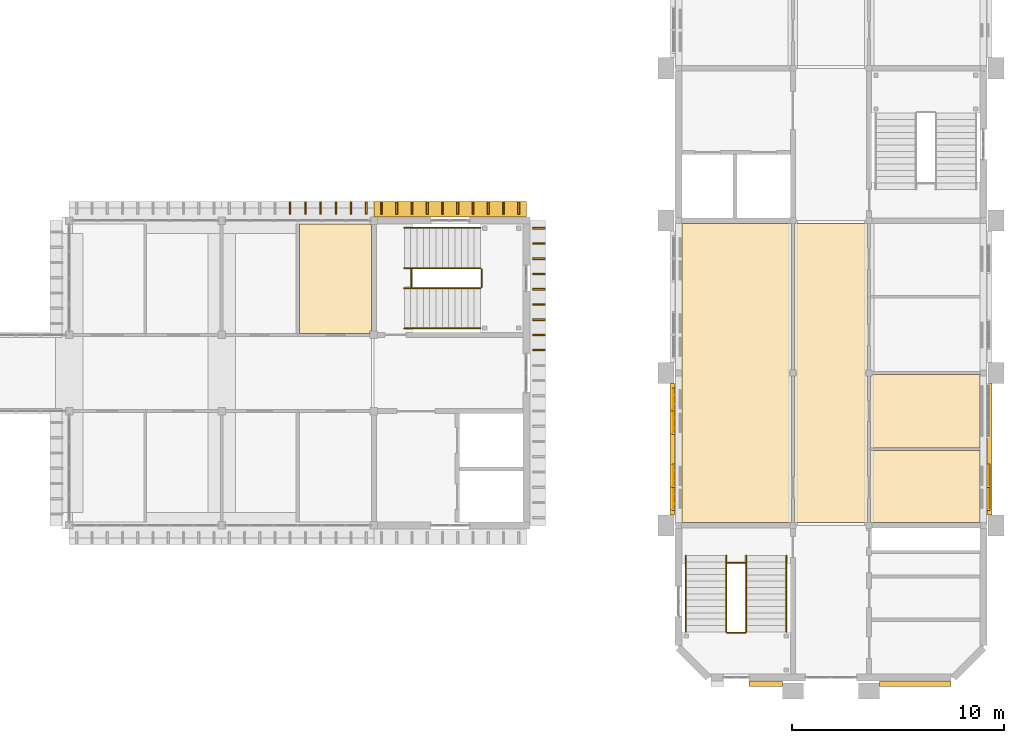
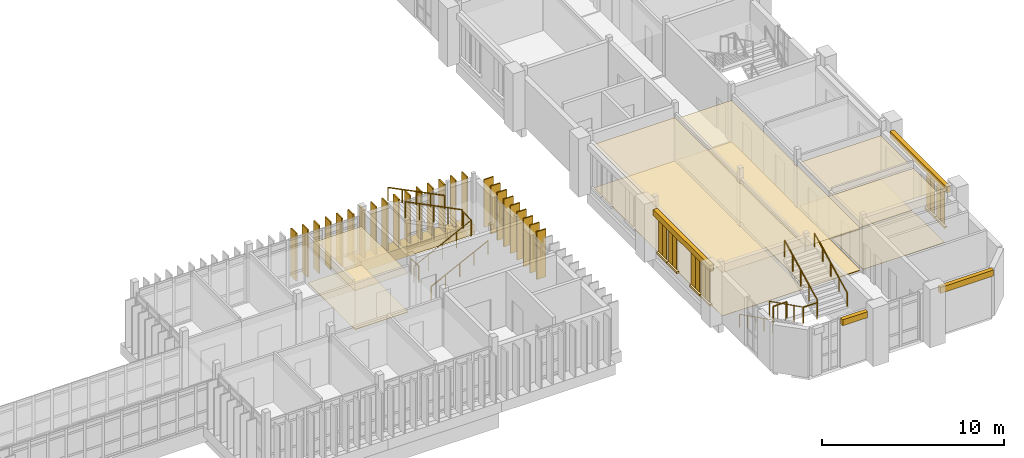
# One storey, part 64 of 69: 58 coverings, 12 railings.
"""IFC4 building model written with IfcOpenShell, lengths in metres."""

from ifc_helpers import new_model, si_unit, direction, frame, origin, origin_2d, place, context, subcontext, project, spatial, polyline, rectangle, circle, outline, extrude, material, layer, layer_set, type_object, element, save


model = new_model("IFC4")

# Units and contexts
model_context = context("Model", 3, precision=1e-05, world=origin(), true_north=direction((0.0, 1.0)))
body_context = subcontext(model_context, "Body", "Model", "MODEL_VIEW")
ifc_project = project(units=[si_unit("LENGTHUNIT", "METRE"), si_unit("AREAUNIT", "SQUARE_METRE"), si_unit("VOLUMEUNIT", "CUBIC_METRE"), si_unit("PLANEANGLEUNIT", "RADIAN"), si_unit("MASSUNIT", "GRAM", prefix="KILO")], contexts=[model_context])

# Site, building, storey
site_placement = place(None, origin())
site = spatial("IfcSite", under=ifc_project, at=site_placement, CompositionType="ELEMENT")
building_placement = place(site_placement, origin())
building = spatial("IfcBuilding", under=site, at=building_placement, Name="Mazhai Court Health Centre", CompositionType="ELEMENT")
storey_placement = place(building_placement, frame((0.0, 0.0, 6.300048828125)))
storey = spatial("IfcBuildingStorey", under=building, at=storey_placement, Name="L01", CompositionType="ELEMENT", Elevation=6.300048828125)

# Coverings
ifc_material_1 = material(Name="Clay brick masonry", Category="masonry")
ifc_layer_1 = layer(ifc_material_1, 0.25)
ifc_layer_set_1 = layer_set([ifc_layer_1], Name="BRICK BAND 250")
covering_type_1 = type_object("IfcCoveringType", Name="BRICK BAND 250", PredefinedType="MOLDING", material=ifc_layer_set_1)
covering_1_placement = place(storey_placement, frame((0.0, 0.0, 2.969970703125)))
element("IfcCovering", 1, at=covering_1_placement, inside=storey, type_object=covering_type_1, Name="EB-V6-L01-A1p0-0", PredefinedType="MOLDING", context=body_context, shape_type="SweptSolid", body=[
    extrude(outline(polyline([(135.635009765625, 13.89990234375), (135.635009765625, 20.10009765625), (135.385009765625, 20.10009765625), (135.385009765625, 13.89990234375), (135.635009765625, 13.89990234375)])), origin(), (0.0, 0.0, 1.0), 0.39990234375),
])
covering_2_placement = place(storey_placement, frame((0.0, 0.0, 2.969970703125)))
element("IfcCovering", 2, at=covering_2_placement, inside=storey, type_object=covering_type_1, Name="EB-V6-L01-B1p0-0", PredefinedType="MOLDING", context=body_context, shape_type="SweptSolid", body=[
    extrude(outline(polyline([(150.364990234375, 20.10009765625), (150.364990234375, 13.89990234375), (150.614990234375, 13.89990234375), (150.614990234375, 20.10009765625), (150.364990234375, 20.10009765625)])), origin(), (0.0, 0.0, 1.0), 0.39990234375),
])
covering_3_placement = place(storey_placement, frame((0.0, 0.0, 2.949951171875)))
element("IfcCovering", 3, at=covering_3_placement, inside=storey, type_object=covering_type_1, Name="EB-V6-L01-Sp1-1", PredefinedType="MOLDING", context=body_context, shape_type="SweptSolid", body=[
    extrude(outline(polyline([(140.699951171875, 6.034912109375), (139.1201171875, 6.034912109375), (139.1201171875, 5.784912109375), (140.699951171875, 5.784912109375), (140.699951171875, 6.034912109375)])), origin(), (0.0, 0.0, 1.0), 0.39990234375),
])
covering_4_placement = place(storey_placement, frame((0.0, 0.0, 2.949951171875)))
element("IfcCovering", 4, at=covering_4_placement, inside=storey, type_object=covering_type_1, Name="EB-V6-L01-Sp2-0", PredefinedType="MOLDING", context=body_context, shape_type="SweptSolid", body=[
    extrude(outline(polyline([(148.6689453125, 6.034912109375), (145.300048828125, 6.034912109375), (145.300048828125, 5.784912109375), (148.6689453125, 5.784912109375), (148.6689453125, 6.034912109375)])), origin(), (0.0, 0.0, 1.0), 0.39990234375),
])
ifc_material_2 = material(Name="Clay brick masonry", Category="masonry")
ifc_layer_2 = layer(ifc_material_2, 0.14990234375)
ifc_layer_set_2 = layer_set([ifc_layer_2], Name="BRICK SILL COURSE 150")
covering_type_2 = type_object("IfcCoveringType", Name="BRICK SILL COURSE 150", PredefinedType="MOLDING", material=ifc_layer_set_2)
covering_5_placement = place(storey_placement, frame((0.0, 0.0, 0.47998046875)))
element("IfcCovering", 5, at=covering_5_placement, inside=storey, type_object=covering_type_2, Name="ES-WN-V6-L01-A10a", PredefinedType="MOLDING", context=body_context, shape_type="SweptSolid", body=[
    extrude(outline(polyline([(135.635009765625, 14.10009765625), (135.635009765625, 15.199951171875), (135.485107421875, 15.199951171875), (135.485107421875, 14.10009765625), (135.635009765625, 14.10009765625)])), origin(), (0.0, 0.0, 1.0), 0.119873046875),
])
covering_6_placement = place(storey_placement, frame((0.0, 0.0, 0.47998046875)))
element("IfcCovering", 6, at=covering_6_placement, inside=storey, type_object=covering_type_2, Name="ES-WN-V6-L01-A10b", PredefinedType="MOLDING", context=body_context, shape_type="SweptSolid", body=[
    extrude(outline(polyline([(135.635009765625, 15.199951171875), (135.635009765625, 16.300048828125), (135.485107421875, 16.300048828125), (135.485107421875, 15.199951171875), (135.635009765625, 15.199951171875)])), origin(), (0.0, 0.0, 1.0), 0.119873046875),
])
covering_7_placement = place(storey_placement, frame((0.0, 0.0, 0.47998046875)))
element("IfcCovering", 7, at=covering_7_placement, inside=storey, type_object=covering_type_2, Name="ES-WN-V6-L01-A11a", PredefinedType="MOLDING", context=body_context, shape_type="SweptSolid", body=[
    extrude(outline(polyline([(135.635009765625, 17.699951171875), (135.635009765625, 18.800048828125), (135.485107421875, 18.800048828125), (135.485107421875, 17.699951171875), (135.635009765625, 17.699951171875)])), origin(), (0.0, 0.0, 1.0), 0.119873046875),
])
covering_8_placement = place(storey_placement, frame((0.0, 0.0, 0.47998046875)))
element("IfcCovering", 8, at=covering_8_placement, inside=storey, type_object=covering_type_2, Name="ES-WN-V6-L01-A11b", PredefinedType="MOLDING", context=body_context, shape_type="SweptSolid", body=[
    extrude(outline(polyline([(135.635009765625, 18.800048828125), (135.635009765625, 19.89990234375), (135.485107421875, 19.89990234375), (135.485107421875, 18.800048828125), (135.635009765625, 18.800048828125)])), origin(), (0.0, 0.0, 1.0), 0.119873046875),
])
covering_9_placement = place(storey_placement, frame((0.0, 0.0, 0.47998046875)))
element("IfcCovering", 9, at=covering_9_placement, inside=storey, type_object=covering_type_2, Name="ES-WN-V6-L01-B10a", PredefinedType="MOLDING", context=body_context, shape_type="SweptSolid", body=[
    extrude(outline(polyline([(150.364990234375, 15.199951171875), (150.364990234375, 14.10009765625), (150.514892578125, 14.10009765625), (150.514892578125, 15.199951171875), (150.364990234375, 15.199951171875)])), origin(), (0.0, 0.0, 1.0), 0.119873046875),
])
covering_10_placement = place(storey_placement, frame((0.0, 0.0, 0.47998046875)))
element("IfcCovering", 10, at=covering_10_placement, inside=storey, type_object=covering_type_2, Name="ES-WN-V6-L01-B10b", PredefinedType="MOLDING", context=body_context, shape_type="SweptSolid", body=[
    extrude(outline(polyline([(150.364990234375, 16.300048828125), (150.364990234375, 15.199951171875), (150.514892578125, 15.199951171875), (150.514892578125, 16.300048828125), (150.364990234375, 16.300048828125)])), origin(), (0.0, 0.0, 1.0), 0.119873046875),
])
ifc_material_3 = material(Name="Gypsum plasterboard ceiling")
ifc_layer_3 = layer(ifc_material_3, 0.02001953125)
ifc_layer_set_3 = layer_set([ifc_layer_3], Name="CEILING GYPSUM BOARD 20")
covering_type_3 = type_object("IfcCoveringType", Name="CEILING GYPSUM BOARD 20", PredefinedType="CEILING", material=ifc_layer_set_3)
covering_11_placement = place(storey_placement, frame((0.0, 0.0, 2.89990234375)))
element("IfcCovering", 11, at=covering_11_placement, inside=storey, type_object=covering_type_3, Name="ceil-V6-L01-A0-library-and-reading-room", PredefinedType="CEILING", context=body_context, shape_type="SweptSolid", body=[
    extrude(outline(polyline([(141.125, 20.4599609375), (141.06005859375, 20.4599609375), (141.06005859375, 20.739990234375), (141.125, 20.739990234375), (141.125, 27.659912109375), (141.06005859375, 27.659912109375), (141.06005859375, 27.675048828125), (135.965087890625, 27.675048828125), (135.965087890625, 13.52490234375), (141.06005859375, 13.52490234375), (141.06005859375, 13.5400390625), (141.125, 13.5400390625), (141.125, 20.4599609375)])), origin(), (0.0, 0.0, 1.0), 0.02001953125),
])
covering_12_placement = place(storey_placement, frame((0.0, 0.0, 2.89990234375)))
element("IfcCovering", 12, at=covering_12_placement, inside=storey, type_object=covering_type_3, Name="ceil-V6-L01-B0-youth-health-room", PredefinedType="CEILING", context=body_context, shape_type="SweptSolid", body=[
    extrude(outline(polyline([(144.875, 13.5400390625), (144.93994140625, 13.5400390625), (144.93994140625, 13.52490234375), (150.034912109375, 13.52490234375), (150.034912109375, 16.9375), (144.875, 16.9375), (144.875, 13.5400390625)])), origin(), (0.0, 0.0, 1.0), 0.02001953125),
])
covering_13_placement = place(storey_placement, frame((0.0, 0.0, 2.89990234375)))
element("IfcCovering", 13, at=covering_13_placement, inside=storey, type_object=covering_type_3, Name="ceil-V6-L01-B0-peer-support-lounge", PredefinedType="CEILING", context=body_context, shape_type="SweptSolid", body=[
    extrude(outline(polyline([(144.93994140625, 20.53759765625), (144.93994140625, 20.4599609375), (144.875, 20.4599609375), (144.875, 17.0625), (150.034912109375, 17.0625), (150.034912109375, 20.53759765625), (144.93994140625, 20.53759765625)])), origin(), (0.0, 0.0, 1.0), 0.02001953125),
])
ifc_material_4 = material(Name="Mineral fibre ceiling tile")
ifc_layer_4 = layer(ifc_material_4, 0.014892578125)
ifc_layer_set_4 = layer_set([ifc_layer_4], Name="CEILING MINERAL FIBRE TILE 15")
covering_type_4 = type_object("IfcCoveringType", Name="CEILING MINERAL FIBRE TILE 15", PredefinedType="CEILING", material=ifc_layer_set_4)
covering_14_placement = place(storey_placement, frame((0.0, 0.0, 2.800048828125)))
element("IfcCovering", 14, at=covering_14_placement, inside=storey, type_object=covering_type_4, Name="ceil-V6-L01-corridor-0", PredefinedType="CEILING", context=body_context, shape_type="SweptSolid", body=[
    extrude(outline(polyline([(144.659912109375, 13.52490234375), (144.659912109375, 13.5400390625), (144.72509765625, 13.5400390625), (144.72509765625, 20.4599609375), (144.659912109375, 20.4599609375), (144.659912109375, 20.739990234375), (144.72509765625, 20.739990234375), (144.72509765625, 27.659912109375), (144.659912109375, 27.659912109375), (144.659912109375, 27.675048828125), (141.340087890625, 27.675048828125), (141.340087890625, 27.659912109375), (141.27490234375, 27.659912109375), (141.27490234375, 20.739990234375), (141.340087890625, 20.739990234375), (141.340087890625, 20.4599609375), (141.27490234375, 20.4599609375), (141.27490234375, 13.5400390625), (141.340087890625, 13.5400390625), (141.340087890625, 13.52490234375), (144.659912109375, 13.52490234375)])), origin(), (0.0, 0.0, 1.0), 0.014892578125),
])
ifc_material_5 = material(Name="Moisture resistant gypsum ceiling")
ifc_layer_5 = layer(ifc_material_5, 0.014892578125)
ifc_layer_set_5 = layer_set([ifc_layer_5], Name="CEILING MOISTURE RESISTANT BOARD 15")
covering_type_5 = type_object("IfcCoveringType", Name="CEILING MOISTURE RESISTANT BOARD 15", PredefinedType="CEILING", material=ifc_layer_set_5)
covering_15_placement = place(storey_placement, frame((0.0, 0.0, 2.599853515625)))
element("IfcCovering", 15, at=covering_15_placement, inside=storey, type_object=covering_type_5, Name="ceil-V4-L01-B1-wc-female", PredefinedType="CEILING", context=body_context, shape_type="SweptSolid", body=[
    extrude(outline(polyline([(121.27490234375, 27.6201171875), (121.219970703125, 27.6201171875), (121.219970703125, 27.635009765625), (117.875, 27.635009765625), (117.875, 22.47509765625), (121.219970703125, 22.47509765625), (121.219970703125, 22.580078125), (121.27490234375, 22.580078125), (121.27490234375, 27.6201171875)])), origin(), (0.0, 0.0, 1.0), 0.01513671875),
])
ifc_material_6 = material(Name="Glulam GL24h", Category="wood")
covering_type_6 = type_object("IfcCoveringType", Name="FIN RAIL CLADDING 735x700", PredefinedType="CLADDING", material=ifc_material_6)
covering_16_placement = place(storey_placement, frame((125.0, 28.33203125, -0.7001953125), z_axis=(0.0, 0.0, 1.0), x_axis=(1.0, 0.0, 0.0)))
element("IfcCovering", 16, at=covering_16_placement, inside=storey, type_object=covering_type_6, Name="FR-V4-B5-L01", PredefinedType="CLADDING", context=body_context, shape_type="SweptSolid", body=[
    extrude(rectangle(XDim=7.199951171875, YDim=0.735107421875, at=origin_2d()), origin(), (0.0, 0.0, 1.0), 0.699951171875),
])
ifc_material_7 = material(Name="Teak timber", Category="wood")
covering_type_7 = type_object("IfcCoveringType", Name="FIN TIMBER 80x600", PredefinedType="CLADDING", material=ifc_material_7)
for number, where, z_axis, x_axis, name in (
    (17, (117.43994140625, 28.39990234375, 0.0), (0.0, 0.0, 1.0), (1.0, 0.0, 0.0), "FN-V4-B4-L01-04"),
    (18, (118.159912109375, 28.39990234375, 0.0), (0.0, 0.0, 1.0), (1.0, 0.0, 0.0), "FN-V4-B4-L01-05"),
    (19, (118.8798828125, 28.39990234375, 0.0), (0.0, 0.0, 1.0), (1.0, 0.0, 0.0), "FN-V4-B4-L01-06"),
    (20, (119.60009765625, 28.39990234375, 0.0), (0.0, 0.0, 1.0), (1.0, 0.0, 0.0), "FN-V4-B4-L01-07"),
    (21, (120.320068359375, 28.39990234375, 0.0), (0.0, 0.0, 1.0), (1.0, 0.0, 0.0), "FN-V4-B4-L01-08"),
    (22, (121.0400390625, 28.39990234375, 0.0), (0.0, 0.0, 1.0), (1.0, 0.0, 0.0), "FN-V4-B4-L01-09"),
    (23, (121.760009765625, 28.39990234375, 0.0), (0.0, 0.0, 1.0), (1.0, 0.0, 0.0), "FN-V4-B5-L01-00"),
    (24, (122.47998046875, 28.39990234375, 0.0), (0.0, 0.0, 1.0), (1.0, 0.0, 0.0), "FN-V4-B5-L01-01"),
    (25, (123.199951171875, 28.39990234375, 0.0), (0.0, 0.0, 1.0), (1.0, 0.0, 0.0), "FN-V4-B5-L01-02"),
    (26, (123.919921875, 28.39990234375, 0.0), (0.0, 0.0, 1.0), (1.0, 0.0, 0.0), "FN-V4-B5-L01-03"),
    (27, (124.639892578125, 28.39990234375, 0.0), (0.0, 0.0, 1.0), (1.0, 0.0, 0.0), "FN-V4-B5-L01-04"),
    (28, (125.360107421875, 28.39990234375, 0.0), (0.0, 0.0, 1.0), (1.0, 0.0, 0.0), "FN-V4-B5-L01-05"),
    (29, (126.080078125, 28.39990234375, 0.0), (0.0, 0.0, 1.0), (1.0, 0.0, 0.0), "FN-V4-B5-L01-06"),
    (30, (126.800048828125, 28.39990234375, 0.0), (0.0, 0.0, 1.0), (1.0, 0.0, 0.0), "FN-V4-B5-L01-07"),
    (31, (127.52001953125, 28.39990234375, 0.0), (0.0, 0.0, 1.0), (1.0, 0.0, 0.0), "FN-V4-B5-L01-08"),
    (32, (128.239990234375, 28.39990234375, 0.0), (0.0, 0.0, 1.0), (1.0, 0.0, 0.0), "FN-V4-B5-L01-09"),
    (33, (129.199951171875, 21.679931640625, 0.0), (0.0, 0.0, 1.0), (0.0, 1.0, 0.0), "FN-V4-E-L01-11"),
    (34, (129.199951171875, 22.39990234375, 0.0), (0.0, 0.0, 1.0), (0.0, 1.0, 0.0), "FN-V4-E-L01-12"),
    (35, (129.199951171875, 23.1201171875, 0.0), (0.0, 0.0, 1.0), (0.0, 1.0, 0.0), "FN-V4-E-L01-13"),
    (36, (129.199951171875, 23.840087890625, 0.0), (0.0, 0.0, 1.0), (0.0, 1.0, 0.0), "FN-V4-E-L01-14"),
    (37, (129.199951171875, 24.56005859375, 0.0), (0.0, 0.0, 1.0), (0.0, 1.0, 0.0), "FN-V4-E-L01-15"),
    (38, (129.199951171875, 25.280029296875, 0.0), (0.0, 0.0, 1.0), (0.0, 1.0, 0.0), "FN-V4-E-L01-16"),
    (39, (129.199951171875, 26.0, 0.0), (0.0, 0.0, 1.0), (0.0, 1.0, 0.0), "FN-V4-E-L01-17"),
    (40, (129.199951171875, 26.719970703125, 0.0), (0.0, 0.0, 1.0), (0.0, 1.0, 0.0), "FN-V4-E-L01-18"),
    (41, (129.199951171875, 27.43994140625, 0.0), (0.0, 0.0, 1.0), (0.0, 1.0, 0.0), "FN-V4-E-L01-19"),
):
    element("IfcCovering", number, at=place(storey_placement, frame(where, z_axis=z_axis, x_axis=x_axis)), inside=storey, type_object=covering_type_7, Name=name, PredefinedType="CLADDING", context=body_context, shape_type="SweptSolid", body=[
        extrude(rectangle(XDim=0.080078125, YDim=0.60009765625, at=origin_2d()), origin(), (0.0, 0.0, 1.0), 3.199951171875),
    ])
ifc_material_8 = material(Name="Linoleum flooring")
ifc_layer_6 = layer(ifc_material_8, 0.02001953125)
ifc_layer_set_6 = layer_set([ifc_layer_6], Name="FLOOR FINISH LINOLEUM FLOORING 20")
covering_type_8 = type_object("IfcCoveringType", Name="FLOOR FINISH LINOLEUM FLOORING 20", PredefinedType="FLOORING", material=ifc_layer_set_6)
covering_17_placement = place(storey_placement, origin())
element("IfcCovering", 42, at=covering_17_placement, inside=storey, type_object=covering_type_8, Name="floor-V6-L01-A0-library-and-reading-room", PredefinedType="FLOORING", context=body_context, shape_type="SweptSolid", body=[
    extrude(outline(polyline([(141.125, 20.4599609375), (141.06005859375, 20.4599609375), (141.06005859375, 20.739990234375), (141.125, 20.739990234375), (141.125, 27.659912109375), (141.06005859375, 27.659912109375), (141.06005859375, 27.675048828125), (135.965087890625, 27.675048828125), (135.965087890625, 13.52490234375), (141.06005859375, 13.52490234375), (141.06005859375, 13.5400390625), (141.125, 13.5400390625), (141.125, 20.4599609375)])), origin(), (0.0, 0.0, 1.0), 0.02001953125),
])
covering_18_placement = place(storey_placement, origin())
element("IfcCovering", 43, at=covering_18_placement, inside=storey, type_object=covering_type_8, Name="floor-V6-L01-B0-youth-health-room", PredefinedType="FLOORING", context=body_context, shape_type="SweptSolid", body=[
    extrude(outline(polyline([(144.875, 13.5400390625), (144.93994140625, 13.5400390625), (144.93994140625, 13.52490234375), (150.034912109375, 13.52490234375), (150.034912109375, 16.9375), (144.875, 16.9375), (144.875, 13.5400390625)])), origin(), (0.0, 0.0, 1.0), 0.02001953125),
])
covering_19_placement = place(storey_placement, origin())
element("IfcCovering", 44, at=covering_19_placement, inside=storey, type_object=covering_type_8, Name="floor-V6-L01-B0-peer-support-lounge", PredefinedType="FLOORING", context=body_context, shape_type="SweptSolid", body=[
    extrude(outline(polyline([(144.93994140625, 20.53759765625), (144.93994140625, 20.4599609375), (144.875, 20.4599609375), (144.875, 17.0625), (150.034912109375, 17.0625), (150.034912109375, 20.53759765625), (144.93994140625, 20.53759765625)])), origin(), (0.0, 0.0, 1.0), 0.02001953125),
])
ifc_material_9 = material(Name="Porcelain tile flooring")
ifc_layer_7 = layer(ifc_material_9, 0.02490234375)
ifc_layer_set_7 = layer_set([ifc_layer_7], Name="FLOOR FINISH PORCELAIN TILE FLOORING 25")
covering_type_9 = type_object("IfcCoveringType", Name="FLOOR FINISH PORCELAIN TILE FLOORING 25", PredefinedType="FLOORING", material=ifc_layer_set_7)
covering_20_placement = place(storey_placement, origin())
element("IfcCovering", 45, at=covering_20_placement, inside=storey, type_object=covering_type_9, Name="floor-V4-L01-B1-wc-female", PredefinedType="FLOORING", context=body_context, shape_type="SweptSolid", body=[
    extrude(outline(polyline([(121.27490234375, 27.6201171875), (121.219970703125, 27.6201171875), (121.219970703125, 27.635009765625), (117.875, 27.635009765625), (117.875, 22.47509765625), (121.219970703125, 22.47509765625), (121.219970703125, 22.580078125), (121.27490234375, 22.580078125), (121.27490234375, 27.6201171875)])), origin(), (0.0, 0.0, 1.0), 0.02490234375),
])
ifc_material_10 = material(Name="Terrazzo flooring")
ifc_layer_8 = layer(ifc_material_10, 0.0400390625)
ifc_layer_set_8 = layer_set([ifc_layer_8], Name="FLOOR FINISH TERRAZZO FLOORING 40")
covering_type_10 = type_object("IfcCoveringType", Name="FLOOR FINISH TERRAZZO FLOORING 40", PredefinedType="FLOORING", material=ifc_layer_set_8)
covering_21_placement = place(storey_placement, origin())
element("IfcCovering", 46, at=covering_21_placement, inside=storey, type_object=covering_type_10, Name="floor-V6-L01-corridor-0", PredefinedType="FLOORING", context=body_context, shape_type="SweptSolid", body=[
    extrude(outline(polyline([(144.659912109375, 13.52490234375), (144.659912109375, 13.5400390625), (144.72509765625, 13.5400390625), (144.72509765625, 20.4599609375), (144.659912109375, 20.4599609375), (144.659912109375, 20.739990234375), (144.72509765625, 20.739990234375), (144.72509765625, 27.659912109375), (144.659912109375, 27.659912109375), (144.659912109375, 27.675048828125), (141.340087890625, 27.675048828125), (141.340087890625, 27.659912109375), (141.27490234375, 27.659912109375), (141.27490234375, 20.739990234375), (141.340087890625, 20.739990234375), (141.340087890625, 20.4599609375), (141.27490234375, 20.4599609375), (141.27490234375, 13.5400390625), (141.340087890625, 13.5400390625), (141.340087890625, 13.52490234375), (144.659912109375, 13.52490234375)])), origin(), (0.0, 0.0, 1.0), 0.0400390625),
])
ifc_material_11 = material(Name="Aluminium louvre", Category="aluminium")
ifc_layer_9 = layer(ifc_material_11, 0.0400390625)
ifc_layer_set_9 = layer_set([ifc_layer_9], Name="SHUTTER LEAF 600x40")
covering_type_11 = type_object("IfcCoveringType", Name="SHUTTER LEAF 600x40", PredefinedType="CLADDING", material=ifc_layer_set_9)
for number, where, z_axis, x_axis, name in (
    (47, (135.554931640625, 14.425048828125, 0.7001953125), (0.0, 0.0, 1.0), (0.0, 1.0, 0.0), "LV-V6-L01-A10aa"),
    (48, (135.554931640625, 14.875, 0.7001953125), (0.0, 0.0, 1.0), (0.0, 1.0, 0.0), "LV-V6-L01-A10ab"),
    (49, (135.554931640625, 15.52490234375, 0.7001953125), (0.0, 0.0, 1.0), (0.0, 1.0, 0.0), "LV-V6-L01-A10ba"),
    (50, (135.554931640625, 15.97509765625, 0.7001953125), (0.0, 0.0, 1.0), (0.0, 1.0, 0.0), "LV-V6-L01-A10bb"),
    (51, (135.554931640625, 18.02490234375, 0.7001953125), (0.0, 0.0, 1.0), (0.0, 1.0, 0.0), "LV-V6-L01-A11aa"),
    (52, (135.554931640625, 18.47509765625, 0.7001953125), (0.0, 0.0, 1.0), (0.0, 1.0, 0.0), "LV-V6-L01-A11ab"),
    (53, (135.554931640625, 19.125, 0.7001953125), (0.0, 0.0, 1.0), (0.0, 1.0, 0.0), "LV-V6-L01-A11ba"),
    (54, (135.554931640625, 19.574951171875, 0.7001953125), (0.0, 0.0, 1.0), (0.0, 1.0, 0.0), "LV-V6-L01-A11bb"),
    (55, (150.445068359375, 14.425048828125, 0.7001953125), (0.0, 0.0, 1.0), (0.0, 1.0, 0.0), "LV-V6-L01-B10aa"),
    (56, (150.445068359375, 14.875, 0.7001953125), (0.0, 0.0, 1.0), (0.0, 1.0, 0.0), "LV-V6-L01-B10ab"),
    (57, (150.445068359375, 15.52490234375, 0.7001953125), (0.0, 0.0, 1.0), (0.0, 1.0, 0.0), "LV-V6-L01-B10ba"),
    (58, (150.445068359375, 15.97509765625, 0.7001953125), (0.0, 0.0, 1.0), (0.0, 1.0, 0.0), "LV-V6-L01-B10bb"),
):
    element("IfcCovering", number, at=place(storey_placement, frame(where, z_axis=z_axis, x_axis=x_axis)), inside=storey, type_object=covering_type_11, Name=name, PredefinedType="CLADDING", context=body_context, shape_type="SweptSolid", body=[
        extrude(rectangle(XDim=0.449951171875, YDim=0.0400390625, at=origin_2d()), origin(), (0.0, 0.0, 1.0), 2.199951171875),
    ])

# Railings
ifc_material_12 = material(Name="Steel IS 2062 E250", Category="steel")
railing_type_1 = type_object("IfcRailingType", Name="STAIR GUARD 1100", PredefinedType="GUARDRAIL", material=ifc_material_12)
railing_1_placement = place(storey_placement, frame((122.8349609375, 24.60498046875, 0.14990234375)))
element("IfcRailing", 59, at=railing_1_placement, inside=storey, type_object=railing_type_1, Name="L01 ST7 stair guard 1", PredefinedType="GUARDRAIL", context=body_context, shape_type="SweptSolid", body=[
    extrude(circle(Radius=0.02392578125, at=origin_2d()), frame((0.0, 0.0, 1.076171875), z_axis=(0.894427191, 0.0, 0.4472135955), x_axis=(0.0, 1.0, 0.0)), (0.0, 0.0, 1.0), 4.025146484375),
    extrude(circle(Radius=0.02099609375, at=origin_2d()), origin(), (0.0, 0.0, 1.0), 1.052001953125),
    extrude(circle(Radius=0.02099609375, at=origin_2d()), frame((0.89990234375, 0.0, 0.449951171875)), (0.0, 0.0, 1.0), 1.052001953125),
    extrude(circle(Radius=0.02099609375, at=origin_2d()), frame((1.800048828125, 0.0, 0.89990234375)), (0.0, 0.0, 1.0), 1.052001953125),
    extrude(circle(Radius=0.02099609375, at=origin_2d()), frame((2.7001953125, 0.0, 1.35009765625)), (0.0, 0.0, 1.0), 1.052001953125),
    extrude(circle(Radius=0.02099609375, at=origin_2d()), frame((3.60009765625, 0.0, 1.800048828125)), (0.0, 0.0, 1.0), 1.052001953125),
])
railing_2_placement = place(storey_placement, frame((126.485107421875, 24.655029296875, 1.949951171875)))
element("IfcRailing", 60, at=railing_2_placement, inside=storey, type_object=railing_type_1, Name="L01 ST7 stair guard 2", PredefinedType="GUARDRAIL", context=body_context, shape_type="SweptSolid", body=[
    extrude(circle(Radius=0.02392578125, at=origin_2d()), frame((0.0, 0.0, 1.076171875), z_axis=(0.0, 1.0, 0.0), x_axis=(-1.0, 0.0, 0.0)), (0.0, 0.0, 1.0), 0.849853515625),
    extrude(circle(Radius=0.02099609375, at=origin_2d()), origin(), (0.0, 0.0, 1.0), 1.052001953125),
    extrude(circle(Radius=0.02099609375, at=origin_2d()), frame((0.0, 0.849853515625, 0.0)), (0.0, 0.0, 1.0), 1.052001953125),
])
railing_3_placement = place(storey_placement, frame((126.43505859375, 25.554931640625, 2.099853515625)))
element("IfcRailing", 61, at=railing_3_placement, inside=storey, type_object=railing_type_1, Name="L01 ST7 stair guard 3", PredefinedType="GUARDRAIL", context=body_context, shape_type="SweptSolid", body=[
    extrude(circle(Radius=0.02392578125, at=origin_2d()), frame((0.0, 0.0, 1.076171875), z_axis=(-0.894427191, 0.0, 0.4472135955), x_axis=(0.0, -1.0, 0.0)), (0.0, 0.0, 1.0), 4.025146484375),
    extrude(circle(Radius=0.02099609375, at=origin_2d()), origin(), (0.0, 0.0, 1.0), 1.052001953125),
    extrude(circle(Radius=0.02099609375, at=origin_2d()), frame((-0.89990234375, 0.0, 0.449951171875)), (0.0, 0.0, 1.0), 1.052001953125),
    extrude(circle(Radius=0.02099609375, at=origin_2d()), frame((-1.800048828125, 0.0, 0.89990234375)), (0.0, 0.0, 1.0), 1.052001953125),
    extrude(circle(Radius=0.02099609375, at=origin_2d()), frame((-2.7001953125, 0.0, 1.35009765625)), (0.0, 0.0, 1.0), 1.052001953125),
    extrude(circle(Radius=0.02099609375, at=origin_2d()), frame((-3.60009765625, 0.0, 1.800048828125)), (0.0, 0.0, 1.0), 1.052001953125),
])
railing_4_placement = place(storey_placement, frame((123.175048828125, 24.655029296875, 0.0)))
element("IfcRailing", 62, at=railing_4_placement, inside=storey, type_object=railing_type_1, Name="L01 ST7 stair guard 4", PredefinedType="GUARDRAIL", context=body_context, shape_type="SweptSolid", body=[
    extrude(circle(Radius=0.02392578125, at=origin_2d()), frame((0.0, 0.0, 1.076171875), z_axis=(0.0, 1.0, 0.0), x_axis=(-1.0, 0.0, 0.0)), (0.0, 0.0, 1.0), 0.849853515625),
    extrude(circle(Radius=0.02099609375, at=origin_2d()), origin(), (0.0, 0.0, 1.0), 1.052001953125),
    extrude(circle(Radius=0.02099609375, at=origin_2d()), frame((0.0, 0.849853515625, 0.0)), (0.0, 0.0, 1.0), 1.052001953125),
])
railing_5_placement = place(storey_placement, frame((138.044921875, 11.965087890625, 0.14990234375)))
element("IfcRailing", 63, at=railing_5_placement, inside=storey, type_object=railing_type_1, Name="L01 ST8 stair guard 1", PredefinedType="GUARDRAIL", context=body_context, shape_type="SweptSolid", body=[
    extrude(circle(Radius=0.02392578125, at=origin_2d()), frame((0.0, 0.0, 1.076171875), z_axis=(0.0, -0.894427191, 0.4472135955), x_axis=(1.0, 0.0, 0.0)), (0.0, 0.0, 1.0), 4.025146484375),
    extrude(circle(Radius=0.02099609375, at=origin_2d()), origin(), (0.0, 0.0, 1.0), 1.052001953125),
    extrude(circle(Radius=0.02099609375, at=origin_2d()), frame((0.0, -0.89990234375, 0.449951171875)), (0.0, 0.0, 1.0), 1.052001953125),
    extrude(circle(Radius=0.02099609375, at=origin_2d()), frame((0.0, -1.800048828125, 0.89990234375)), (0.0, 0.0, 1.0), 1.052001953125),
    extrude(circle(Radius=0.02099609375, at=origin_2d()), frame((0.0, -2.7001953125, 1.35009765625)), (0.0, 0.0, 1.0), 1.052001953125),
    extrude(circle(Radius=0.02099609375, at=origin_2d()), frame((0.0, -3.60009765625, 1.800048828125)), (0.0, 0.0, 1.0), 1.052001953125),
])
railing_6_placement = place(storey_placement, frame((138.094970703125, 8.31494140625, 1.949951171875)))
element("IfcRailing", 64, at=railing_6_placement, inside=storey, type_object=railing_type_1, Name="L01 ST8 stair guard 2", PredefinedType="GUARDRAIL", context=body_context, shape_type="SweptSolid", body=[
    extrude(circle(Radius=0.02392578125, at=origin_2d()), frame((0.0, 0.0, 1.076171875), z_axis=(1.0, 0.0, 0.0), x_axis=(0.0, 1.0, 0.0)), (0.0, 0.0, 1.0), 0.85009765625),
    extrude(circle(Radius=0.02099609375, at=origin_2d()), origin(), (0.0, 0.0, 1.0), 1.052001953125),
    extrude(circle(Radius=0.02099609375, at=origin_2d()), frame((0.85009765625, 0.0, 0.0)), (0.0, 0.0, 1.0), 1.052001953125),
])
railing_7_placement = place(storey_placement, frame((138.9951171875, 8.364990234375, 2.099853515625)))
element("IfcRailing", 65, at=railing_7_placement, inside=storey, type_object=railing_type_1, Name="L01 ST8 stair guard 3", PredefinedType="GUARDRAIL", context=body_context, shape_type="SweptSolid", body=[
    extrude(circle(Radius=0.02392578125, at=origin_2d()), frame((0.0, 0.0, 1.076171875), z_axis=(0.0, 0.894427191, 0.4472135955), x_axis=(-1.0, 0.0, 0.0)), (0.0, 0.0, 1.0), 4.025146484375),
    extrude(circle(Radius=0.02099609375, at=origin_2d()), origin(), (0.0, 0.0, 1.0), 1.052001953125),
    extrude(circle(Radius=0.02099609375, at=origin_2d()), frame((0.0, 0.89990234375, 0.449951171875)), (0.0, 0.0, 1.0), 1.052001953125),
    extrude(circle(Radius=0.02099609375, at=origin_2d()), frame((0.0, 1.800048828125, 0.89990234375)), (0.0, 0.0, 1.0), 1.052001953125),
    extrude(circle(Radius=0.02099609375, at=origin_2d()), frame((0.0, 2.7001953125, 1.35009765625)), (0.0, 0.0, 1.0), 1.052001953125),
    extrude(circle(Radius=0.02099609375, at=origin_2d()), frame((0.0, 3.60009765625, 1.800048828125)), (0.0, 0.0, 1.0), 1.052001953125),
])
railing_8_placement = place(storey_placement, frame((138.094970703125, 11.625, 0.0)))
element("IfcRailing", 66, at=railing_8_placement, inside=storey, type_object=railing_type_1, Name="L01 ST8 stair guard 4", PredefinedType="GUARDRAIL", context=body_context, shape_type="SweptSolid", body=[
    extrude(circle(Radius=0.02392578125, at=origin_2d()), frame((0.0, 0.0, 1.076171875), z_axis=(1.0, 0.0, 0.0), x_axis=(0.0, 1.0, 0.0)), (0.0, 0.0, 1.0), 0.85009765625),
    extrude(circle(Radius=0.02099609375, at=origin_2d()), origin(), (0.0, 0.0, 1.0), 1.052001953125),
    extrude(circle(Radius=0.02099609375, at=origin_2d()), frame((0.85009765625, 0.0, 0.0)), (0.0, 0.0, 1.0), 1.052001953125),
])
ifc_material_13 = material(Name="Steel IS 2062 E250", Category="steel")
railing_type_2 = type_object("IfcRailingType", Name="STAIR HANDRAIL 900", PredefinedType="HANDRAIL", material=ifc_material_13)
railing_9_placement = place(storey_placement, frame((122.8349609375, 22.705078125, 0.14990234375)))
element("IfcRailing", 67, at=railing_9_placement, inside=storey, type_object=railing_type_2, Name="L01 ST7 stair handrail 1", PredefinedType="HANDRAIL", context=body_context, shape_type="SweptSolid", body=[
    extrude(circle(Radius=0.02392578125, at=origin_2d()), frame((0.0, 0.0, 0.8759765625), z_axis=(0.894427191, 0.0, 0.4472135955), x_axis=(0.0, 1.0, 0.0)), (0.0, 0.0, 1.0), 4.025146484375),
    extrude(circle(Radius=0.02099609375, at=origin_2d()), origin(), (0.0, 0.0, 1.0), 0.851806640625),
    extrude(circle(Radius=0.02099609375, at=origin_2d()), frame((0.89990234375, 0.0, 0.449951171875)), (0.0, 0.0, 1.0), 0.851806640625),
    extrude(circle(Radius=0.02099609375, at=origin_2d()), frame((1.800048828125, 0.0, 0.89990234375)), (0.0, 0.0, 1.0), 0.851806640625),
    extrude(circle(Radius=0.02099609375, at=origin_2d()), frame((2.7001953125, 0.0, 1.35009765625)), (0.0, 0.0, 1.0), 0.851806640625),
    extrude(circle(Radius=0.02099609375, at=origin_2d()), frame((3.60009765625, 0.0, 1.800048828125)), (0.0, 0.0, 1.0), 0.851806640625),
])
railing_10_placement = place(storey_placement, frame((126.43505859375, 27.455078125, 2.099853515625)))
element("IfcRailing", 68, at=railing_10_placement, inside=storey, type_object=railing_type_2, Name="L01 ST7 stair handrail 2", PredefinedType="HANDRAIL", context=body_context, shape_type="SweptSolid", body=[
    extrude(circle(Radius=0.02392578125, at=origin_2d()), frame((0.0, 0.0, 0.8759765625), z_axis=(-0.894427191, 0.0, 0.4472135955), x_axis=(0.0, -1.0, 0.0)), (0.0, 0.0, 1.0), 4.025146484375),
    extrude(circle(Radius=0.02099609375, at=origin_2d()), origin(), (0.0, 0.0, 1.0), 0.851806640625),
    extrude(circle(Radius=0.02099609375, at=origin_2d()), frame((-0.89990234375, 0.0, 0.449951171875)), (0.0, 0.0, 1.0), 0.851806640625),
    extrude(circle(Radius=0.02099609375, at=origin_2d()), frame((-1.800048828125, 0.0, 0.89990234375)), (0.0, 0.0, 1.0), 0.851806640625),
    extrude(circle(Radius=0.02099609375, at=origin_2d()), frame((-2.7001953125, 0.0, 1.35009765625)), (0.0, 0.0, 1.0), 0.851806640625),
    extrude(circle(Radius=0.02099609375, at=origin_2d()), frame((-3.60009765625, 0.0, 1.800048828125)), (0.0, 0.0, 1.0), 0.851806640625),
])
railing_11_placement = place(storey_placement, frame((136.14501953125, 11.965087890625, 0.14990234375)))
element("IfcRailing", 69, at=railing_11_placement, inside=storey, type_object=railing_type_2, Name="L01 ST8 stair handrail 1", PredefinedType="HANDRAIL", context=body_context, shape_type="SweptSolid", body=[
    extrude(circle(Radius=0.02392578125, at=origin_2d()), frame((0.0, 0.0, 0.8759765625), z_axis=(0.0, -0.894427191, 0.4472135955), x_axis=(1.0, 0.0, 0.0)), (0.0, 0.0, 1.0), 4.025146484375),
    extrude(circle(Radius=0.02099609375, at=origin_2d()), origin(), (0.0, 0.0, 1.0), 0.851806640625),
    extrude(circle(Radius=0.02099609375, at=origin_2d()), frame((0.0, -0.89990234375, 0.449951171875)), (0.0, 0.0, 1.0), 0.851806640625),
    extrude(circle(Radius=0.02099609375, at=origin_2d()), frame((0.0, -1.800048828125, 0.89990234375)), (0.0, 0.0, 1.0), 0.851806640625),
    extrude(circle(Radius=0.02099609375, at=origin_2d()), frame((0.0, -2.7001953125, 1.35009765625)), (0.0, 0.0, 1.0), 0.851806640625),
    extrude(circle(Radius=0.02099609375, at=origin_2d()), frame((0.0, -3.60009765625, 1.800048828125)), (0.0, 0.0, 1.0), 0.851806640625),
])
railing_12_placement = place(storey_placement, frame((140.89501953125, 8.364990234375, 2.099853515625)))
element("IfcRailing", 70, at=railing_12_placement, inside=storey, type_object=railing_type_2, Name="L01 ST8 stair handrail 2", PredefinedType="HANDRAIL", context=body_context, shape_type="SweptSolid", body=[
    extrude(circle(Radius=0.02392578125, at=origin_2d()), frame((0.0, 0.0, 0.8759765625), z_axis=(0.0, 0.894427191, 0.4472135955), x_axis=(-1.0, 0.0, 0.0)), (0.0, 0.0, 1.0), 4.025146484375),
    extrude(circle(Radius=0.02099609375, at=origin_2d()), origin(), (0.0, 0.0, 1.0), 0.851806640625),
    extrude(circle(Radius=0.02099609375, at=origin_2d()), frame((0.0, 0.89990234375, 0.449951171875)), (0.0, 0.0, 1.0), 0.851806640625),
    extrude(circle(Radius=0.02099609375, at=origin_2d()), frame((0.0, 1.800048828125, 0.89990234375)), (0.0, 0.0, 1.0), 0.851806640625),
    extrude(circle(Radius=0.02099609375, at=origin_2d()), frame((0.0, 2.7001953125, 1.35009765625)), (0.0, 0.0, 1.0), 0.851806640625),
    extrude(circle(Radius=0.02099609375, at=origin_2d()), frame((0.0, 3.60009765625, 1.800048828125)), (0.0, 0.0, 1.0), 0.851806640625),
])

save(model, "model.ifc")
